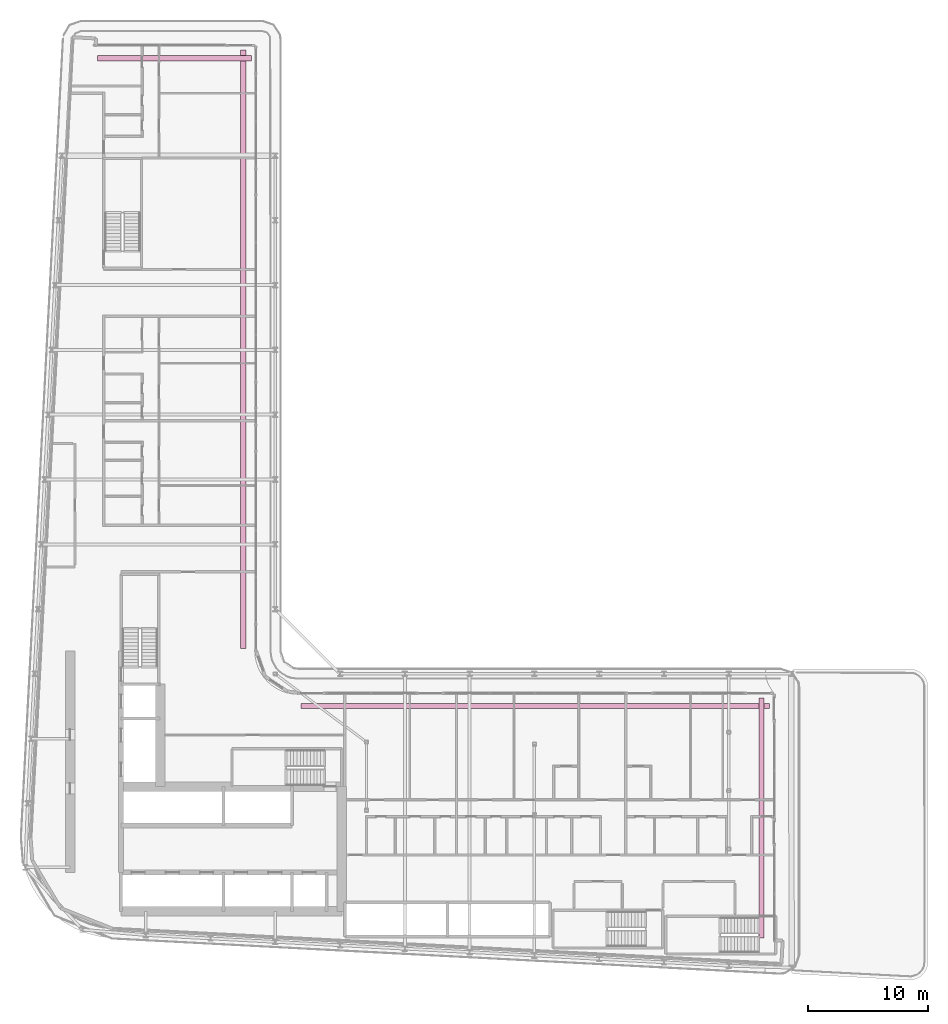
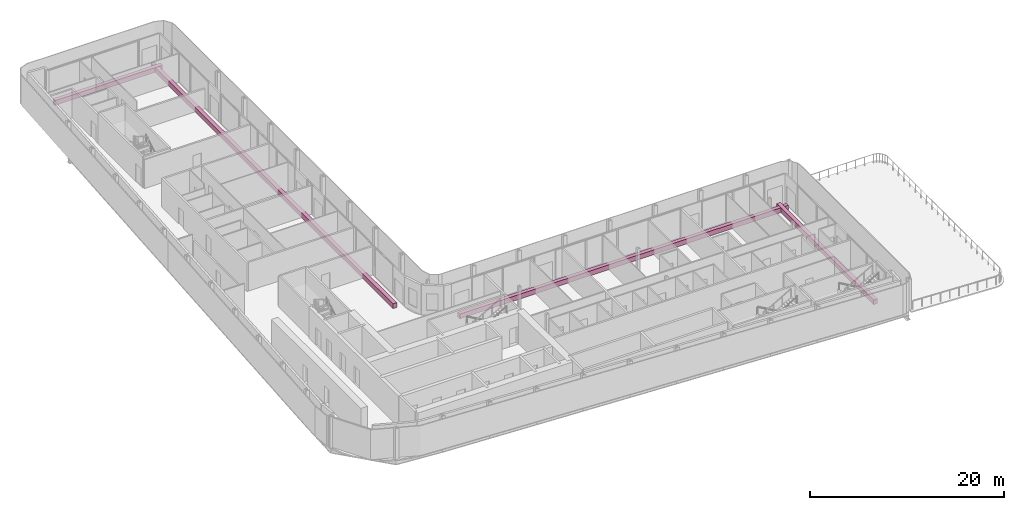
# One storey, part 27 of 27: 4 furniture elements.
"""IFC4 building model written with IfcOpenShell, lengths in metres."""

from ifc_helpers import new_model, si_unit, direction, frame, origin, origin_2d, place, context, subcontext, project, spatial, rectangle, extrude, material, type_object, element, save


model = new_model("IFC4")

# Units and contexts
model_context = context("Model", 3, precision=1e-05, world=origin(), true_north=direction((0.0, 1.0)))
body_context = subcontext(model_context, "Body", "Model", "MODEL_VIEW")
ifc_project = project(units=[si_unit("LENGTHUNIT", "METRE"), si_unit("AREAUNIT", "SQUARE_METRE"), si_unit("VOLUMEUNIT", "CUBIC_METRE"), si_unit("PLANEANGLEUNIT", "RADIAN"), si_unit("MASSUNIT", "GRAM", prefix="KILO")], contexts=[model_context])

# Site, building, storey
site_placement = place(None, origin())
site = spatial("IfcSite", under=ifc_project, at=site_placement, CompositionType="ELEMENT")
building_placement = place(site_placement, origin())
building = spatial("IfcBuilding", under=site, at=building_placement, Name="Kheshtan School and Residences Tower", CompositionType="ELEMENT")
storey_placement = place(building_placement, frame((0.0, 0.0, 152.60009765625)))
storey = spatial("IfcBuildingStorey", under=building, at=storey_placement, Name="L35", CompositionType="ELEMENT", Elevation=152.60009765625)

# Furniture
ifc_material = material(Name="Precast concrete C30/37 in terracotta finish", Category="masonry")
furniture_type = type_object("IfcFurnitureType", Name="Planter trough", AssemblyPlace="NOTDEFINED", PredefinedType="USERDEFINED", material=ifc_material)
furniture_1_placement = place(storey_placement, frame((39.196044921875, 96.925048828125, -0.000244140625), z_axis=(0.0, 0.0, 1.0), x_axis=(1.0, 0.0, 0.0)))
element("IfcFurniture", 1, at=furniture_1_placement, inside=storey, type_object=furniture_type, Name="Planter L35", ObjectType="PLANTER", PredefinedType="USERDEFINED", context=body_context, shape_type="SweptSolid", body=[
    extrude(rectangle(XDim=12.80810546875, YDim=0.449951171875, at=origin_2d()), origin(), (0.0, 0.0, 1.0), 0.60009765625),
])
furniture_2_placement = place(storey_placement, frame((44.925048828125, 72.6650390625, -0.000244140625), z_axis=(0.0, 0.0, 1.0), x_axis=(0.0, -1.0, 0.0)))
element("IfcFurniture", 2, at=furniture_2_placement, inside=storey, type_object=furniture_type, Name="Planter L35", ObjectType="PLANTER", PredefinedType="USERDEFINED", context=body_context, shape_type="SweptSolid", body=[
    extrude(rectangle(XDim=49.8701171875, YDim=0.449951171875, at=origin_2d()), origin(), (0.0, 0.0, 1.0), 0.60009765625),
])
furniture_3_placement = place(storey_placement, frame((69.264892578125, 42.925048828125, -0.000244140625), z_axis=(0.0, 0.0, 1.0), x_axis=(1.0, 0.0, 0.0)))
element("IfcFurniture", 3, at=furniture_3_placement, inside=storey, type_object=furniture_type, Name="Planter L35", ObjectType="PLANTER", PredefinedType="USERDEFINED", context=body_context, shape_type="SweptSolid", body=[
    extrude(rectangle(XDim=39.070068359375, YDim=0.449951171875, at=origin_2d()), origin(), (0.0, 0.0, 1.0), 0.60009765625),
])
furniture_4_placement = place(storey_placement, frame((88.125, 33.591064453125, -0.000244140625), z_axis=(0.0, 0.0, 1.0), x_axis=(0.0, -1.0, 0.0)))
element("IfcFurniture", 4, at=furniture_4_placement, inside=storey, type_object=furniture_type, Name="Planter L35", ObjectType="PLANTER", PredefinedType="USERDEFINED", context=body_context, shape_type="SweptSolid", body=[
    extrude(rectangle(XDim=20.01708984375, YDim=0.449951171875, at=origin_2d()), origin(), (0.0, 0.0, 1.0), 0.60009765625),
])

save(model, "model.ifc")
